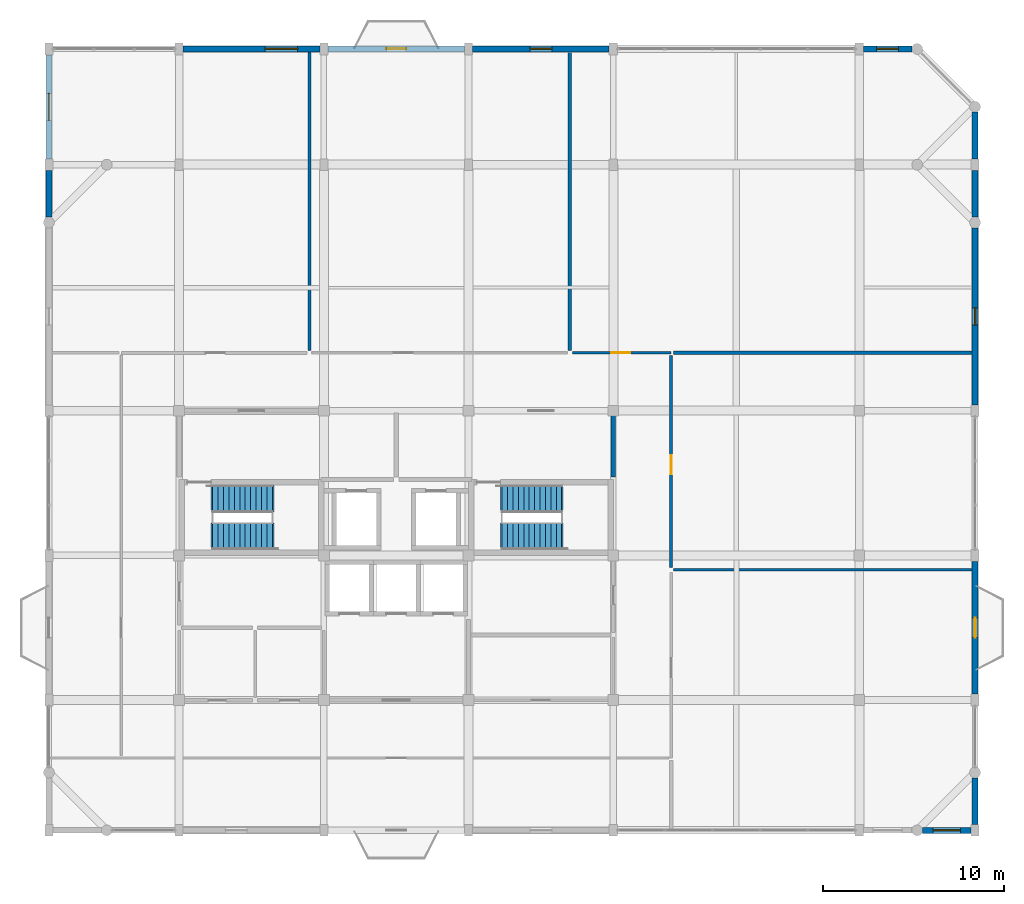
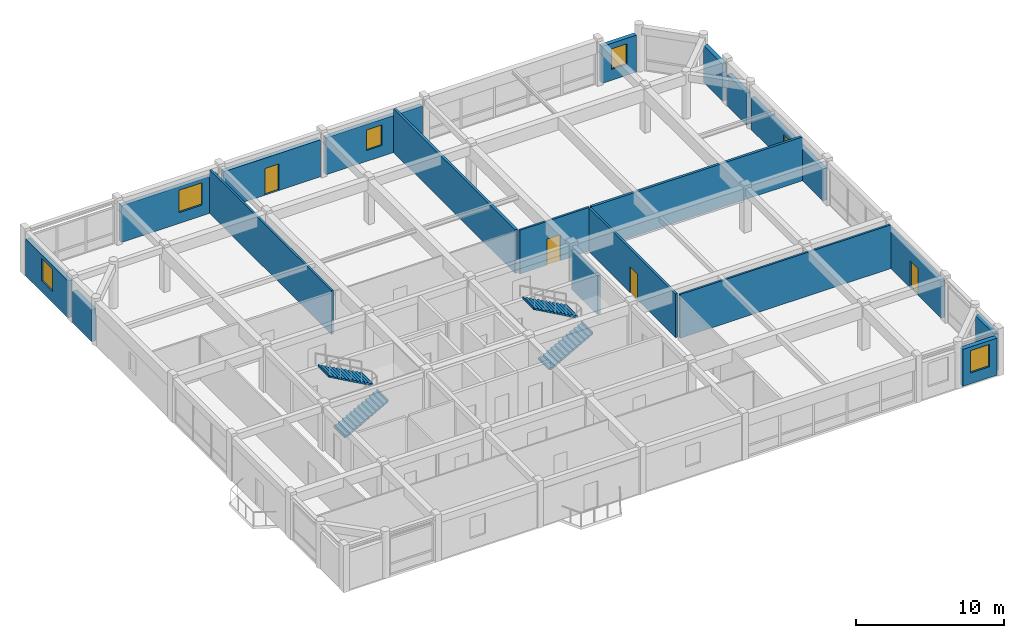
# One storey, part 12 of 13: 19 walls, 6 windows, 4 doors, 4 stair flights, 10 openings, 2 elements without a shape of their own.
"""IFC4 building model written with IfcOpenShell, lengths in metres."""

import ifcopenshell
import ifcopenshell.guid

model = None  # the IFC model being written
_history = None  # IfcOwnerHistory: only IFC2X3 demands one
_inside = {}  # id of a spatial element -> (the spatial element, [elements in it])
_under = {}  # id of a project, library or spatial element -> (it, [spatial elements below it])
_declared = {}  # id of a project -> (the project, [libraries it declares])
_typed = {}  # id of a type object -> (the type object, [elements of that type])
_made_of = {}  # id of a material, layer set ... -> (it, [elements and type objects made of it])


def new_model(schema):
    """Start an empty IFC model of exactly this schema.

    Asked for "IFC4X3", IfcOpenShell would pick the latest addendum, in which some entities
    have other attributes; the version numbers below select the first issue.
    IFC2X3 requires an IfcOwnerHistory on every rooted entity: one is made here for all.
    """
    global model, _history
    if schema == "IFC4X3":
        model = ifcopenshell.file(schema_version=(4, 3, 0, 0))
    else:
        model = ifcopenshell.file(schema=schema)
    _inside.clear()
    _under.clear()
    _declared.clear()
    _typed.clear()
    _made_of.clear()
    _history = None
    if model.schema == "IFC2X3":
        org = make("IfcOrganization", Name="unknown")
        user = make(
            "IfcPersonAndOrganization",
            ThePerson=make("IfcPerson", FamilyName="unknown"),
            TheOrganization=org,
        )
        app = make(
            "IfcApplication",
            ApplicationDeveloper=org,
            Version="unknown",
            ApplicationFullName="unknown",
            ApplicationIdentifier="unknown",
        )
        _history = make(
            "IfcOwnerHistory",
            OwningUser=user,
            OwningApplication=app,
            ChangeAction="ADDED",
            CreationDate=0,
        )
    return model


def make(cls, **values):
    """One entity of the class cls with the attributes given. An attribute that is None is left unset."""
    return model.create_entity(
        cls, **{name: value for name, value in values.items() if value is not None}
    )


def rooted(cls, **values):
    """An entity with a GlobalId (a new one), such as an element, a storey or a relation."""
    return make(cls, GlobalId=ifcopenshell.guid.new(), OwnerHistory=_history, **values)


def si_unit(unit_type, name, prefix=None):
    """IfcSIUnit, for example si_unit("LENGTHUNIT", "METRE", prefix="MILLI")."""
    return make("IfcSIUnit", UnitType=unit_type, Prefix=prefix, Name=name)


def assignment(units):
    """IfcUnitAssignment: the units of a project."""
    return None if units is None else make("IfcUnitAssignment", Units=units)


def point(xyz):
    """IfcCartesianPoint."""
    return None if xyz is None else make("IfcCartesianPoint", Coordinates=xyz)


def direction(xyz):
    """IfcDirection."""
    return None if xyz is None else make("IfcDirection", DirectionRatios=xyz)


def frame(location, z_axis=None, x_axis=None):
    """IfcAxis2Placement3D, a coordinate frame: its origin and axes. An axis left out is left unset."""
    return make(
        "IfcAxis2Placement3D",
        Location=point(location),
        Axis=direction(z_axis),
        RefDirection=direction(x_axis),
    )


def frame_2d(location, x_axis=None):
    """IfcAxis2Placement2D, a coordinate frame in the plane: its origin and x axis."""
    return make(
        "IfcAxis2Placement2D", Location=point(location), RefDirection=direction(x_axis)
    )


def origin():
    """The frame at (0, 0, 0) with its axes left unset."""
    return frame((0.0, 0.0, 0.0))


def place(relative_to, where):
    """IfcLocalPlacement: puts the frame where relative to a parent placement (None: the world)."""
    return make(
        "IfcLocalPlacement", PlacementRelTo=relative_to, RelativePlacement=where
    )


def context(
    kind, dimensions, precision=None, world=None, true_north=None, identifier=None
):
    """IfcGeometricRepresentationContext, for example the 3D "Model" context."""
    return make(
        "IfcGeometricRepresentationContext",
        ContextIdentifier=identifier,
        ContextType=kind,
        CoordinateSpaceDimension=dimensions,
        Precision=precision,
        WorldCoordinateSystem=world,
        TrueNorth=true_north,
    )


def subcontext(parent, identifier, kind, view, scale=None):
    """IfcGeometricRepresentationSubContext, for example "Body" below "Model"."""
    return make(
        "IfcGeometricRepresentationSubContext",
        ContextIdentifier=identifier,
        ContextType=kind,
        ParentContext=parent,
        TargetScale=scale,
        TargetView=view,
    )


def project(units=None, contexts=None):
    """IfcProject with its units and contexts."""
    return rooted(
        "IfcProject",
        Name="project",
        RepresentationContexts=contexts,
        UnitsInContext=assignment(units),
    )


def spatial(cls, under=None, at=None, **own):
    """A site, building, storey or space (cls), placed at a placement, below another one or the project."""
    s = rooted(cls, ObjectPlacement=at, **own)
    if under is not None:
        _under.setdefault(under.id(), (under, []))[1].append(s)
    return s


def polyline(points):
    """IfcPolyline through the points."""
    return make("IfcPolyline", Points=[point(p) for p in points])


def profile(cls, at=None, kind="AREA", **sizes):
    """A parametric profile (cls). Its sizes go by their IFC names, for example OverallWidth=200.0."""
    return make(cls, ProfileType=kind, Position=at, **sizes)


def rectangle(**sizes):
    """IfcRectangleProfileDef."""
    return profile("IfcRectangleProfileDef", **sizes)


def outline(outer, holes=None, kind="AREA"):
    """IfcArbitraryClosedProfileDef: a profile drawn as a closed curve; with holes, ...WithVoids."""
    if holes is None:
        return make("IfcArbitraryClosedProfileDef", ProfileType=kind, OuterCurve=outer)
    return make(
        "IfcArbitraryProfileDefWithVoids",
        ProfileType=kind,
        OuterCurve=outer,
        InnerCurves=holes,
    )


def extrude(swept, where, along, depth):
    """IfcExtrudedAreaSolid: the profile swept, set in the frame where, extruded along a direction by depth."""
    return make(
        "IfcExtrudedAreaSolid",
        SweptArea=swept,
        Position=where,
        ExtrudedDirection=direction(along),
        Depth=depth,
    )


def shape(context_of_items, identifier, shape_type, items):
    """IfcShapeRepresentation: the items that make up one representation, for example the "Body"."""
    return make(
        "IfcShapeRepresentation",
        ContextOfItems=context_of_items,
        RepresentationIdentifier=identifier,
        RepresentationType=shape_type,
        Items=items,
    )


def material(Name=None, Category=None):
    """IfcMaterial."""
    return make("IfcMaterial", Name=Name, Category=Category)


def layer(
    of_material, thickness, ventilated=None, Name=None, Category=None, Priority=None
):
    """IfcMaterialLayer: one layer of a wall or slab, of a material (None: an air gap)."""
    return make(
        "IfcMaterialLayer",
        Material=of_material,
        LayerThickness=thickness,
        IsVentilated=ventilated,
        Name=Name,
        Category=Category,
        Priority=Priority,
    )


def layer_set(layers, Name=None):
    """IfcMaterialLayerSet."""
    return make("IfcMaterialLayerSet", MaterialLayers=layers, LayerSetName=Name)


def made_of(thing, what):
    """Note that an element or type object is made of a material, layer set ...; save() writes the relation."""
    if what is not None:
        _made_of.setdefault(what.id(), (what, []))[1].append(thing)
    return thing


def type_object(cls, material=None, **own):
    """A type object (cls), such as IfcWallType, which elements share."""
    return made_of(rooted(cls, **own), material)


def element(
    cls,
    number,
    at=None,
    inside=None,
    cuts=None,
    type_object=None,
    material=None,
    context=None,
    identifier="Body",
    shape_type=None,
    held_by="IfcProductDefinitionShape",
    body=None,
    shapes=None,
    **own,
):
    """One element of the class cls, such as IfcWall. Its Tag is "e" and its number.

    at: its placement. inside: the storey or other place that contains it. cuts: it is an
    opening in that element (IfcRelVoidsElement). A single representation is given by context,
    identifier, shape_type and body (its items); several are given by shapes. held_by: the class
    of the entity that holds the representations. save() writes the other relations.
    """
    e = rooted(cls, Tag="e%d" % number, ObjectPlacement=at, **own)
    if body is not None:
        shapes = [shape(context, identifier, shape_type, body)]
    if shapes is not None:
        e.Representation = make(held_by, Representations=shapes)
    if inside is not None:
        _inside.setdefault(inside.id(), (inside, []))[1].append(e)
    if cuts is not None:
        rooted(
            "IfcRelVoidsElement", RelatingBuildingElement=cuts, RelatedOpeningElement=e
        )
    if type_object is not None:
        _typed.setdefault(type_object.id(), (type_object, []))[1].append(e)
    return made_of(e, material)


def fill(opening, filler):
    """IfcRelFillsElement: the door or window that sits in an opening."""
    return rooted(
        "IfcRelFillsElement",
        RelatingOpeningElement=opening,
        RelatedBuildingElement=filler,
    )


def aggregate(whole, parts):
    """IfcRelAggregates: a whole, such as a stair, and the parts it consists of."""
    return rooted("IfcRelAggregates", RelatingObject=whole, RelatedObjects=parts)


def save(model, path):
    """Write the relations noted so far, then the file.

    IfcRelAggregates (storeys below a building ...), IfcRelContainedInSpatialStructure (elements
    in a storey), IfcRelDefinesByType, IfcRelAssociatesMaterial and IfcRelDeclares: one each for
    every whole, place, type object, material and project.
    """
    for whole, parts in _under.values():
        aggregate(whole, parts)
    for where, things in _inside.values():
        rooted(
            "IfcRelContainedInSpatialStructure",
            RelatedElements=things,
            RelatingStructure=where,
        )
    for kind, things in _typed.values():
        rooted("IfcRelDefinesByType", RelatedObjects=things, RelatingType=kind)
    for what, things in _made_of.values():
        rooted("IfcRelAssociatesMaterial", RelatedObjects=things, RelatingMaterial=what)
    for by, libraries in _declared.values():
        rooted("IfcRelDeclares", RelatingContext=by, RelatedDefinitions=libraries)
    model.write(path)


model = new_model("IFC4")

# Units and contexts
model_context = context("Model", 3, precision=1e-05, world=origin(), true_north=direction((0.0, 1.0)))
body_context = subcontext(model_context, "Body", "Model", "MODEL_VIEW")
ifc_project = project(units=[si_unit("LENGTHUNIT", "METRE"), si_unit("AREAUNIT", "SQUARE_METRE"), si_unit("VOLUMEUNIT", "CUBIC_METRE"), si_unit("PLANEANGLEUNIT", "RADIAN"), si_unit("MASSUNIT", "GRAM", prefix="KILO")], contexts=[model_context])

# Site, building, storey
site_placement = place(None, origin())
site = spatial("IfcSite", under=ifc_project, at=site_placement, CompositionType="ELEMENT")
building_placement = place(site_placement, origin())
building = spatial("IfcBuilding", under=site, at=building_placement, Name="Vellmiral Cinema and Media Centre", CompositionType="ELEMENT")
storey_placement = place(building_placement, frame((0.0, 0.0, 54.800048828125)))
storey = spatial("IfcBuildingStorey", under=building, at=storey_placement, Name="L13", CompositionType="ELEMENT", Elevation=54.800048828125)

# Wall
ifc_material_1 = material(Name="Polychrome Glazed Ceramic Cladding", Category="masonry")
ifc_layer_1 = layer(ifc_material_1, 0.320068359375, Name="Polychrome Glazed Ceramic Cladding")
ifc_layer_set_1 = layer_set([ifc_layer_1], Name="Polychrome Glazed Ceramic Cladding")
wall_type_1 = type_object("IfcWallType", Name="WL-EXT-BRICK-320", PredefinedType="SOLIDWALL", material=ifc_layer_set_1)
wall_1_placement = place(storey_placement, frame((168.0, 72.324951171875, 0.0), z_axis=(0.0, 0.0, 1.0), x_axis=(0.0, 1.0, 0.0)))
element("IfcWall", 1, at=wall_1_placement, inside=storey, type_object=wall_type_1, Name="Exterior Facade Wall L13-009", PredefinedType="SOLIDWALL", context=body_context, shape_type="SweptSolid", body=[
    extrude(rectangle(XDim=2.574951171875, YDim=0.320068359375, at=frame_2d((1.28759765625, 0.0))), origin(), (0.0, 0.0, 1.0), 3.06005859375),
])

# Wall, opening, door
wall_2_placement = place(storey_placement, frame((168.0, 79.52490234375, 0.0), z_axis=(0.0, 0.0, 1.0), x_axis=(0.0, 1.0, 0.0)))
wall_2 = element("IfcWall", 2, at=wall_2_placement, inside=storey, type_object=wall_type_1, Name="Exterior Facade Wall L13-011", PredefinedType="SOLIDWALL", context=body_context, shape_type="SweptSolid", body=[
    extrude(rectangle(XDim=7.35009765625, YDim=0.320068359375, at=frame_2d((3.675048828125, 0.0))), origin(), (0.0, 0.0, 1.0), 3.044921875),
])
opening_1_placement = place(wall_2_placement, frame((3.125, 0.0, 0.0)))
opening_1 = element("IfcOpeningElement", 3, at=opening_1_placement, cuts=wall_2, Name="Opening DE-06", PredefinedType="OPENING", context=body_context, shape_type="SweptSolid", body=[
    extrude(rectangle(XDim=1.10009765625, YDim=2.199951171875, at=frame_2d((0.550048828125, 1.10009765625))), frame((0.0, 0.171875, 0.0), z_axis=(0.0, -1.0, 0.0), x_axis=(1.0, 0.0, 0.0)), (0.0, 0.0, 1.0), 0.343994140625),
])
ifc_material_2 = material(Name="Thermally Broken Glazed Aluminium and Bronze Door", Category="aluminium")
door_type_1 = type_object("IfcDoorType", Name="DR-MIRA-1100x2200", OperationType="NOTDEFINED", PredefinedType="DOOR", material=ifc_material_2)
door_1_placement = place(opening_1_placement, frame((1.10009765625, 0.0, 0.0), z_axis=(0.0, 0.0, 1.0), x_axis=(-1.0, 0.0, 0.0)))
door_1 = element("IfcDoor", 4, at=door_1_placement, inside=storey, type_object=door_type_1, Name="Mirador Balcony Door L13-E", OperationType="SINGLE_SWING_LEFT", OverallHeight=2.199951171875, OverallWidth=1.10009765625, PredefinedType="DOOR", context=body_context, shape_type="SweptSolid", body=[
    extrude(rectangle(XDim=1.10009765625, YDim=2.199951171875, at=frame_2d((0.550048828125, 1.10009765625))), frame((0.0, 0.02490234375, 0.0), z_axis=(0.0, -1.0, 0.0), x_axis=(1.0, 0.0, 0.0)), (0.0, 0.0, 1.0), 0.050048828125),
])
fill(opening_1, door_1)

# Wall, opening, window
wall_3_placement = place(storey_placement, frame((168.0, 95.52490234375, 0.0), z_axis=(0.0, 0.0, 1.0), x_axis=(0.0, 1.0, 0.0)))
wall_3 = element("IfcWall", 5, at=wall_3_placement, inside=storey, type_object=wall_type_1, Name="Exterior Facade Wall L13-013", PredefinedType="SOLIDWALL", context=body_context, shape_type="SweptSolid", body=[
    extrude(rectangle(XDim=9.775146484375, YDim=0.320068359375, at=frame_2d((4.8876953125, 0.0))), origin(), (0.0, 0.0, 1.0), 2.64501953125),
])
opening_2_placement = place(wall_3_placement, frame((4.41259765625, 0.0, 0.800048828125)))
opening_2 = element("IfcOpeningElement", 6, at=opening_2_placement, cuts=wall_3, Name="Opening WN-12", PredefinedType="OPENING", context=body_context, shape_type="SweptSolid", body=[
    extrude(rectangle(XDim=0.949951171875, YDim=1.449951171875, at=frame_2d((0.47509765625, 0.72509765625))), frame((0.0, 0.171875, 0.0), z_axis=(0.0, -1.0, 0.0), x_axis=(1.0, 0.0, 0.0)), (0.0, 0.0, 1.0), 0.343994140625),
])
ifc_material_3 = material(Name="Thermally Broken Aluminium Triple Glazing", Category="aluminium")
window_type_1 = type_object("IfcWindowType", Name="WN-0950x1450", PartitioningType="SINGLE_PANEL", PredefinedType="WINDOW", material=ifc_material_3)
window_1_placement = place(opening_2_placement, origin())
window_1 = element("IfcWindow", 7, at=window_1_placement, inside=storey, type_object=window_type_1, Name="Window L13-013", OverallHeight=1.449951171875, OverallWidth=0.949951171875, PartitioningType="SINGLE_PANEL", PredefinedType="WINDOW", context=body_context, shape_type="SweptSolid", body=[
    extrude(rectangle(XDim=0.949951171875, YDim=1.449951171875, at=frame_2d((0.47509765625, 0.72509765625))), frame((0.0, 0.030029296875, 0.0), z_axis=(0.0, -1.0, 0.0), x_axis=(1.0, 0.0, 0.0)), (0.0, 0.0, 1.0), 0.06005859375),
])
fill(opening_2, window_1)

# Wall
wall_4_placement = place(storey_placement, frame((168.0, 109.125, 0.0), z_axis=(0.0, 0.0, 1.0), x_axis=(0.0, 1.0, 0.0)))
element("IfcWall", 8, at=wall_4_placement, inside=storey, type_object=wall_type_1, Name="Exterior Facade Wall L13-015", PredefinedType="SOLIDWALL", context=body_context, shape_type="SweptSolid", body=[
    extrude(rectangle(XDim=2.574951171875, YDim=0.320068359375, at=frame_2d((1.28759765625, 0.0))), origin(), (0.0, 0.0, 1.0), 3.06005859375),
])

# Wall, opening, window
wall_5_placement = place(storey_placement, frame((164.5, 115.199951171875, 0.0), z_axis=(0.0, 0.0, 1.0), x_axis=(-1.0, 0.0, 0.0)))
wall_5 = element("IfcWall", 9, at=wall_5_placement, inside=storey, type_object=wall_type_1, Name="Exterior Facade Wall L13-017", PredefinedType="SOLIDWALL", context=body_context, shape_type="SweptSolid", body=[
    extrude(rectangle(XDim=2.675048828125, YDim=0.320068359375, at=frame_2d((1.33740234375, 0.0))), origin(), (0.0, 0.0, 1.0), 3.06005859375),
])
opening_3_placement = place(wall_5_placement, frame((0.737548828125, 0.0, 0.89990234375)))
opening_3 = element("IfcOpeningElement", 10, at=opening_3_placement, cuts=wall_5, Name="Opening WN-10", PredefinedType="OPENING", context=body_context, shape_type="SweptSolid", body=[
    extrude(rectangle(XDim=1.199951171875, YDim=1.699951171875, at=frame_2d((0.60009765625, 0.85009765625))), frame((0.0, 0.171875, 0.0), z_axis=(0.0, -1.0, 0.0), x_axis=(1.0, 0.0, 0.0)), (0.0, 0.0, 1.0), 0.343994140625),
])
ifc_material_4 = material(Name="Thermally Broken Aluminium Triple Glazing", Category="aluminium")
window_type_2 = type_object("IfcWindowType", Name="WN-1200x1700", PartitioningType="SINGLE_PANEL", PredefinedType="WINDOW", material=ifc_material_4)
window_2_placement = place(opening_3_placement, origin())
window_2 = element("IfcWindow", 11, at=window_2_placement, inside=storey, type_object=window_type_2, Name="Window L13-017", OverallHeight=1.699951171875, OverallWidth=1.199951171875, PartitioningType="SINGLE_PANEL", PredefinedType="WINDOW", context=body_context, shape_type="SweptSolid", body=[
    extrude(rectangle(XDim=1.199951171875, YDim=1.699951171875, at=frame_2d((0.60009765625, 0.85009765625))), frame((0.0, 0.030029296875, 0.0), z_axis=(0.0, -1.0, 0.0), x_axis=(1.0, 0.0, 0.0)), (0.0, 0.0, 1.0), 0.06005859375),
])
fill(opening_3, window_2)

wall_6_placement = place(storey_placement, frame((147.77490234375, 115.199951171875, 0.0), z_axis=(0.0, 0.0, 1.0), x_axis=(-1.0, 0.0, 0.0)))
wall_6 = element("IfcWall", 12, at=wall_6_placement, inside=storey, type_object=wall_type_1, Name="Exterior Facade Wall L13-019", PredefinedType="SOLIDWALL", context=body_context, shape_type="SweptSolid", body=[
    extrude(rectangle(XDim=7.5498046875, YDim=0.320068359375, at=frame_2d((3.77490234375, 0.0))), origin(), (0.0, 0.0, 1.0), 3.06005859375),
])
opening_4_placement = place(wall_6_placement, frame((3.175048828125, 0.0, 0.89990234375)))
opening_4 = element("IfcOpeningElement", 13, at=opening_4_placement, cuts=wall_6, Name="Opening WN-10", PredefinedType="OPENING", context=body_context, shape_type="SweptSolid", body=[
    extrude(rectangle(XDim=1.199951171875, YDim=1.699951171875, at=frame_2d((0.60009765625, 0.85009765625))), frame((0.0, 0.171875, 0.0), z_axis=(0.0, -1.0, 0.0), x_axis=(1.0, 0.0, 0.0)), (0.0, 0.0, 1.0), 0.343994140625),
])
window_3_placement = place(opening_4_placement, origin())
window_3 = element("IfcWindow", 14, at=window_3_placement, inside=storey, type_object=window_type_2, Name="Window L13-019", OverallHeight=1.699951171875, OverallWidth=1.199951171875, PartitioningType="SINGLE_PANEL", PredefinedType="WINDOW", context=body_context, shape_type="SweptSolid", body=[
    extrude(rectangle(XDim=1.199951171875, YDim=1.699951171875, at=frame_2d((0.60009765625, 0.85009765625))), frame((0.0, 0.030029296875, 0.0), z_axis=(0.0, -1.0, 0.0), x_axis=(1.0, 0.0, 0.0)), (0.0, 0.0, 1.0), 0.06005859375),
])
fill(opening_4, window_3)

wall_7_placement = place(storey_placement, frame((131.77490234375, 115.199951171875, 0.0), z_axis=(0.0, 0.0, 1.0), x_axis=(-1.0, 0.0, 0.0)))
wall_7 = element("IfcWall", 15, at=wall_7_placement, inside=storey, type_object=wall_type_1, Name="Exterior Facade Wall L13-021", PredefinedType="SOLIDWALL", context=body_context, shape_type="SweptSolid", body=[
    extrude(rectangle(XDim=7.5498046875, YDim=0.320068359375, at=frame_2d((3.77490234375, 0.0))), origin(), (0.0, 0.0, 1.0), 3.044921875),
])
opening_5_placement = place(wall_7_placement, frame((1.22509765625, 0.0, 0.89990234375)))
opening_5 = element("IfcOpeningElement", 16, at=opening_5_placement, cuts=wall_7, Name="Opening WN-04", PredefinedType="OPENING", context=body_context, shape_type="SweptSolid", body=[
    extrude(rectangle(XDim=1.800048828125, YDim=1.85009765625, at=frame_2d((0.89990234375, 0.925048828125))), frame((0.0, 0.171875, 0.0), z_axis=(0.0, -1.0, 0.0), x_axis=(1.0, 0.0, 0.0)), (0.0, 0.0, 1.0), 0.343994140625),
])
ifc_material_5 = material(Name="Thermally Broken Aluminium Triple Glazing", Category="aluminium")
window_type_3 = type_object("IfcWindowType", Name="WN-1800x1850", PartitioningType="DOUBLE_PANEL_VERTICAL", PredefinedType="WINDOW", material=ifc_material_5)
window_4_placement = place(opening_5_placement, origin())
window_4 = element("IfcWindow", 17, at=window_4_placement, inside=storey, type_object=window_type_3, Name="Window L13-021", OverallHeight=1.85009765625, OverallWidth=1.800048828125, PartitioningType="DOUBLE_PANEL_VERTICAL", PredefinedType="WINDOW", context=body_context, shape_type="SweptSolid", body=[
    extrude(rectangle(XDim=1.800048828125, YDim=1.85009765625, at=frame_2d((0.89990234375, 0.925048828125))), frame((0.0, 0.030029296875, 0.0), z_axis=(0.0, -1.0, 0.0), x_axis=(1.0, 0.0, 0.0)), (0.0, 0.0, 1.0), 0.06005859375),
])
fill(opening_5, window_4)

wall_8_placement = place(storey_placement, frame((116.800048828125, 114.875, 0.0), z_axis=(0.0, 0.0, 1.0), x_axis=(0.0, -1.0, 0.0)))
wall_8 = element("IfcWall", 18, at=wall_8_placement, inside=storey, type_object=wall_type_1, Name="Exterior Facade Wall L13-023", PredefinedType="SOLIDWALL", context=body_context, shape_type="SweptSolid", body=[
    extrude(rectangle(XDim=5.75, YDim=0.320068359375, at=frame_2d((2.875, 0.0))), origin(), (0.0, 0.0, 1.0), 3.06005859375),
])
opening_6_placement = place(wall_8_placement, frame((2.125, 0.0, 0.89990234375)))
opening_6 = element("IfcOpeningElement", 19, at=opening_6_placement, cuts=wall_8, Name="Opening WN-06", PredefinedType="OPENING", context=body_context, shape_type="SweptSolid", body=[
    extrude(rectangle(XDim=1.5, YDim=1.85009765625, at=frame_2d((0.75, 0.925048828125))), frame((0.0, 0.171875, 0.0), z_axis=(0.0, -1.0, 0.0), x_axis=(1.0, 0.0, 0.0)), (0.0, 0.0, 1.0), 0.343994140625),
])
ifc_material_6 = material(Name="Thermally Broken Aluminium Triple Glazing", Category="aluminium")
window_type_4 = type_object("IfcWindowType", Name="WN-1500x1850", PartitioningType="SINGLE_PANEL", PredefinedType="WINDOW", material=ifc_material_6)
window_5_placement = place(opening_6_placement, origin())
window_5 = element("IfcWindow", 20, at=window_5_placement, inside=storey, type_object=window_type_4, Name="Window L13-023", OverallHeight=1.85009765625, OverallWidth=1.5, PartitioningType="SINGLE_PANEL", PredefinedType="WINDOW", context=body_context, shape_type="SweptSolid", body=[
    extrude(rectangle(XDim=1.5, YDim=1.85009765625, at=frame_2d((0.75, 0.925048828125))), frame((0.0, 0.030029296875, 0.0), z_axis=(0.0, -1.0, 0.0), x_axis=(1.0, 0.0, 0.0)), (0.0, 0.0, 1.0), 0.06005859375),
])
fill(opening_6, window_5)

ifc_material_7 = material(Name="Vosges Red Sandstone Masonry", Category="masonry")
ifc_layer_2 = layer(ifc_material_7, 0.340087890625, Name="Vosges Red Sandstone Masonry")
ifc_layer_set_2 = layer_set([ifc_layer_2], Name="Vosges Red Sandstone Masonry")
wall_type_2 = type_object("IfcWallType", Name="WL-EXT-SAND-340", PredefinedType="SOLIDWALL", material=ifc_layer_set_2)
wall_9_placement = place(storey_placement, frame((165.10009765625, 72.0, 0.0), z_axis=(0.0, 0.0, 1.0), x_axis=(1.0, 0.0, 0.0)))
wall_9 = element("IfcWall", 21, at=wall_9_placement, inside=storey, type_object=wall_type_2, Name="Exterior Facade Wall L13-008", PredefinedType="SOLIDWALL", context=body_context, shape_type="SweptSolid", body=[
    extrude(rectangle(XDim=2.6748046875, YDim=0.340087890625, at=frame_2d((1.33740234375, 0.0))), origin(), (0.0, 0.0, 1.0), 3.06005859375),
])
opening_7_placement = place(wall_9_placement, frame((0.58740234375, 0.0, 0.89990234375)))
opening_7 = element("IfcOpeningElement", 22, at=opening_7_placement, cuts=wall_9, Name="Opening WN-06", PredefinedType="OPENING", context=body_context, shape_type="SweptSolid", body=[
    extrude(rectangle(XDim=1.5, YDim=1.85009765625, at=frame_2d((0.75, 0.925048828125))), frame((0.0, 0.18212890625, 0.0), z_axis=(0.0, -1.0, 0.0), x_axis=(1.0, 0.0, 0.0)), (0.0, 0.0, 1.0), 0.364013671875),
])
window_6_placement = place(opening_7_placement, origin())
window_6 = element("IfcWindow", 23, at=window_6_placement, inside=storey, type_object=window_type_4, Name="Window L13-008", OverallHeight=1.85009765625, OverallWidth=1.5, PartitioningType="SINGLE_PANEL", PredefinedType="WINDOW", context=body_context, shape_type="SweptSolid", body=[
    extrude(rectangle(XDim=1.5, YDim=1.85009765625, at=frame_2d((0.75, 0.925048828125))), frame((0.0, 0.030029296875, 0.0), z_axis=(0.0, -1.0, 0.0), x_axis=(1.0, 0.0, 0.0)), (0.0, 0.0, 1.0), 0.06005859375),
])
fill(opening_7, window_6)

# Wall
wall_10_placement = place(storey_placement, frame((168.0, 105.89990234375, 0.0), z_axis=(0.0, 0.0, 1.0), x_axis=(0.0, 1.0, 0.0)))
element("IfcWall", 24, at=wall_10_placement, inside=storey, type_object=wall_type_2, Name="Exterior Facade Wall L13-014", PredefinedType="SOLIDWALL", context=body_context, shape_type="SweptSolid", body=[
    extrude(rectangle(XDim=2.5751953125, YDim=0.340087890625, at=frame_2d((1.28759765625, 0.0))), origin(), (0.0, 0.0, 1.0), 2.64501953125),
])

# Wall, opening, door
wall_11_placement = place(storey_placement, frame((139.77490234375, 115.199951171875, 0.0), z_axis=(0.0, 0.0, 1.0), x_axis=(-1.0, 0.0, 0.0)))
wall_11 = element("IfcWall", 25, at=wall_11_placement, inside=storey, type_object=wall_type_2, Name="Exterior Facade Wall L13-020", PredefinedType="SOLIDWALL", context=body_context, shape_type="SweptSolid", body=[
    extrude(rectangle(XDim=7.5498046875, YDim=0.340087890625, at=frame_2d((3.77490234375, 0.0))), origin(), (0.0, 0.0, 1.0), 3.06005859375),
])
opening_8_placement = place(wall_11_placement, frame((3.22509765625, 0.0, 0.0)))
opening_8 = element("IfcOpeningElement", 26, at=opening_8_placement, cuts=wall_11, Name="Opening DE-06", PredefinedType="OPENING", context=body_context, shape_type="SweptSolid", body=[
    extrude(rectangle(XDim=1.10009765625, YDim=2.199951171875, at=frame_2d((0.550048828125, 1.10009765625))), frame((0.0, 0.18212890625, 0.0), z_axis=(0.0, -1.0, 0.0), x_axis=(1.0, 0.0, 0.0)), (0.0, 0.0, 1.0), 0.364013671875),
])
door_2_placement = place(opening_8_placement, frame((1.10009765625, 0.0, 0.0), z_axis=(0.0, 0.0, 1.0), x_axis=(-1.0, 0.0, 0.0)))
door_2 = element("IfcDoor", 27, at=door_2_placement, inside=storey, type_object=door_type_1, Name="Mirador Balcony Door L13-N", OperationType="SINGLE_SWING_RIGHT", OverallHeight=2.199951171875, OverallWidth=1.10009765625, PredefinedType="DOOR", context=body_context, shape_type="SweptSolid", body=[
    extrude(rectangle(XDim=1.10009765625, YDim=2.199951171875, at=frame_2d((0.550048828125, 1.10009765625))), frame((0.0, 0.02490234375, 0.0), z_axis=(0.0, -1.0, 0.0), x_axis=(1.0, 0.0, 0.0)), (0.0, 0.0, 1.0), 0.050048828125),
])
fill(opening_8, door_2)

# Walls
wall_12_placement = place(storey_placement, frame((116.800048828125, 108.47509765625, 0.0), z_axis=(0.0, 0.0, 1.0), x_axis=(0.0, -1.0, 0.0)))
element("IfcWall", 28, at=wall_12_placement, inside=storey, type_object=wall_type_2, Name="Exterior Facade Wall L13-024", PredefinedType="SOLIDWALL", context=body_context, shape_type="SweptSolid", body=[
    extrude(rectangle(XDim=2.5751953125, YDim=0.340087890625, at=frame_2d((1.28759765625, 0.0))), origin(), (0.0, 0.0, 1.0), 2.64501953125),
])
ifc_material_8 = material(Name="Concrete C40/50", Category="concrete")
ifc_layer_3 = layer(ifc_material_8, 0.22998046875, Name="Concrete C40/50")
ifc_layer_set_3 = layer_set([ifc_layer_3], Name="Concrete C40/50")
wall_type_3 = type_object("IfcWallType", Name="WL-FFL-230", PredefinedType="SOLIDWALL", material=ifc_layer_set_3)
wall_13_placement = place(storey_placement, frame((148.0, 91.5400390625, 0.0), z_axis=(0.0, 0.0, 1.0), x_axis=(0.0, 1.0, 0.0)))
element("IfcWall", 29, at=wall_13_placement, inside=storey, type_object=wall_type_3, Name="Firefighting Lobby East Wall E", PredefinedType="SOLIDWALL", context=body_context, shape_type="SweptSolid", body=[
    extrude(rectangle(XDim=3.52001953125, YDim=0.22998046875, at=frame_2d((1.760009765625, 0.0))), origin(), (0.0, 0.0, 1.0), 3.204833984375),
])
ifc_material_9 = material(Name="Gypsum Plasterboard")
ifc_layer_4 = layer(ifc_material_9, 0.02490234375, Name="Gypsum Plasterboard", Category="gypsum")
ifc_material_10 = material(Name="Mineral Wool Acoustic Insulation", Category="insulation")
ifc_layer_5 = layer(ifc_material_10, 0.10009765625, Name="Mineral Wool Acoustic Insulation", Category="insulation")
ifc_layer_6 = layer(ifc_material_9, 0.02490234375, Name="Gypsum Plasterboard", Category="gypsum")
ifc_layer_set_4 = layer_set([ifc_layer_4, ifc_layer_5, ifc_layer_6], Name="Gypsum Plasterboard")
wall_type_4 = type_object("IfcWallType", Name="WL-PART-150", PredefinedType="PARTITIONING", material=ifc_layer_set_4)
for number, where, z_axis, x_axis, name in (
    (30, (151.340087890625, 86.39990234375, 0.0), (0.0, 0.0, 1.0), (1.0, 0.0, 0.0), "East Film Commission Office 1 Wall N"),
    (31, (131.199951171875, 98.5400390625, 0.0), (0.0, 0.0, 1.0), (0.0, 1.0, 0.0), "North Film Commission Suite West Wall E"),
):
    element("IfcWall", number, at=place(storey_placement, frame(where, z_axis=z_axis, x_axis=x_axis)), inside=storey, type_object=wall_type_4, Name=name, PredefinedType="PARTITIONING", context=body_context, shape_type="SweptSolid", body=[
        extrude(rectangle(XDim=16.48486328125, YDim=0.14990234375, at=frame_2d((8.242431640625, 0.0))), origin(), (0.0, 0.0, 1.0), 3.619873046875),
    ])

# Wall, opening, door
wall_14_placement = place(storey_placement, frame((145.739990234375, 98.39990234375, 0.0), z_axis=(0.0, 0.0, 1.0), x_axis=(1.0, 0.0, 0.0)))
wall_14 = element("IfcWall", 32, at=wall_14_placement, inside=storey, type_object=wall_type_4, Name="North International Licensing Studio Wall S", PredefinedType="PARTITIONING", context=body_context, shape_type="SweptSolid", body=[
    extrude(rectangle(XDim=5.4599609375, YDim=0.14990234375, at=frame_2d((2.72998046875, 0.0))), origin(), (0.0, 0.0, 1.0), 3.619873046875),
])
opening_9_placement = place(wall_14_placement, frame((2.135009765625, 0.0, 0.0)))
opening_9 = element("IfcOpeningElement", 33, at=opening_9_placement, cuts=wall_14, Name="Opening D-I07", PredefinedType="OPENING", context=body_context, shape_type="SweptSolid", body=[
    extrude(rectangle(XDim=1.050048828125, YDim=2.14990234375, at=frame_2d((0.52490234375, 1.074951171875))), frame((0.0, 0.0869140625, 0.0), z_axis=(0.0, -1.0, 0.0), x_axis=(1.0, 0.0, 0.0)), (0.0, 0.0, 1.0), 0.173828125),
])
ifc_material_11 = material(Name="Laminated Timber Door", Category="wood")
door_type_2 = type_object("IfcDoorType", Name="DR-INT-1050x2150", OperationType="NOTDEFINED", PredefinedType="DOOR", material=ifc_material_11)
door_3_placement = place(opening_9_placement, frame((1.050048828125, 0.0, 0.0), z_axis=(0.0, 0.0, 1.0), x_axis=(-1.0, 0.0, 0.0)))
door_3 = element("IfcDoor", 34, at=door_3_placement, inside=storey, type_object=door_type_2, Name="North International Licensing Studio Door", OperationType="SINGLE_SWING_LEFT", OverallHeight=2.14990234375, OverallWidth=1.050048828125, PredefinedType="DOOR", context=body_context, shape_type="SweptSolid", body=[
    extrude(rectangle(XDim=1.050048828125, YDim=2.14990234375, at=frame_2d((0.52490234375, 1.074951171875))), frame((0.0, 0.02490234375, 0.0), z_axis=(0.0, -1.0, 0.0), x_axis=(1.0, 0.0, 0.0)), (0.0, 0.0, 1.0), 0.050048828125),
])
fill(opening_9, door_3)

ifc_material_12 = material(Name="Gypsum Plasterboard")
ifc_layer_7 = layer(ifc_material_12, 0.02490234375, Name="Gypsum Plasterboard", Category="gypsum")
ifc_material_13 = material(Name="Mineral Wool Acoustic Insulation", Category="insulation")
ifc_layer_8 = layer(ifc_material_13, 0.1201171875, Name="Mineral Wool Acoustic Insulation", Category="insulation")
ifc_layer_9 = layer(ifc_material_12, 0.02490234375, Name="Gypsum Plasterboard", Category="gypsum")
ifc_layer_set_5 = layer_set([ifc_layer_7, ifc_layer_8, ifc_layer_9], Name="Gypsum Plasterboard")
wall_type_5 = type_object("IfcWallType", Name="WL-PART-170", PredefinedType="PARTITIONING", material=ifc_layer_set_5)
wall_15_placement = place(storey_placement, frame((151.199951171875, 86.5400390625, 0.0), z_axis=(0.0, 0.0, 1.0), x_axis=(0.0, 1.0, 0.0)))
wall_15 = element("IfcWall", 35, at=wall_15_placement, inside=storey, type_object=wall_type_5, Name="East Media Rights Office 2 Wall W", PredefinedType="PARTITIONING", context=body_context, shape_type="SweptSolid", body=[
    extrude(rectangle(XDim=11.719970703125, YDim=0.169921875, at=frame_2d((5.85986328125, 0.0))), origin(), (0.0, 0.0, 1.0), 3.619873046875),
])
opening_10_placement = place(wall_15_placement, frame((5.135009765625, 0.0, 0.0)))
opening_10 = element("IfcOpeningElement", 36, at=opening_10_placement, cuts=wall_15, Name="Opening D-I07", PredefinedType="OPENING", context=body_context, shape_type="SweptSolid", body=[
    extrude(rectangle(XDim=1.050048828125, YDim=2.14990234375, at=frame_2d((0.52490234375, 1.074951171875))), frame((0.0, 0.096923828125, 0.0), z_axis=(0.0, -1.0, 0.0), x_axis=(1.0, 0.0, 0.0)), (0.0, 0.0, 1.0), 0.19384765625),
])
door_4_placement = place(opening_10_placement, frame((1.050048828125, 0.0, 0.0), z_axis=(0.0, 0.0, 1.0), x_axis=(-1.0, 0.0, 0.0)))
door_4 = element("IfcDoor", 37, at=door_4_placement, inside=storey, type_object=door_type_2, Name="East Media Rights Office 2 Door", OperationType="SINGLE_SWING_RIGHT", OverallHeight=2.14990234375, OverallWidth=1.050048828125, PredefinedType="DOOR", context=body_context, shape_type="SweptSolid", body=[
    extrude(rectangle(XDim=1.050048828125, YDim=2.14990234375, at=frame_2d((0.52490234375, 1.074951171875))), frame((0.0, 0.02490234375, 0.0), z_axis=(0.0, -1.0, 0.0), x_axis=(1.0, 0.0, 0.0)), (0.0, 0.0, 1.0), 0.050048828125),
])
fill(opening_10, door_4)

# Walls
ifc_material_14 = material(Name="Gypsum Plasterboard")
ifc_layer_10 = layer(ifc_material_14, 0.02490234375, Name="Gypsum Plasterboard", Category="gypsum")
ifc_material_15 = material(Name="Mineral Wool Acoustic Insulation", Category="insulation")
ifc_layer_11 = layer(ifc_material_15, 0.139892578125, Name="Mineral Wool Acoustic Insulation", Category="insulation")
ifc_layer_12 = layer(ifc_material_14, 0.02490234375, Name="Gypsum Plasterboard", Category="gypsum")
ifc_layer_set_6 = layer_set([ifc_layer_10, ifc_layer_11, ifc_layer_12], Name="Gypsum Plasterboard")
wall_type_6 = type_object("IfcWallType", Name="WL-PART-190", PredefinedType="PARTITIONING", material=ifc_layer_set_6)
for number, where, z_axis, x_axis, name in (
    (38, (151.340087890625, 98.39990234375, 0.0), (0.0, 0.0, 1.0), (1.0, 0.0, 0.0), "East Media Rights Office 2 Wall N"),
    (39, (145.60009765625, 98.5400390625, 0.0), (0.0, 0.0, 1.0), (0.0, 1.0, 0.0), "North Film Commission Boardroom Wall E"),
):
    element("IfcWall", number, at=place(storey_placement, frame(where, z_axis=z_axis, x_axis=x_axis)), inside=storey, type_object=wall_type_6, Name=name, PredefinedType="PARTITIONING", context=body_context, shape_type="SweptSolid", body=[
        extrude(rectangle(XDim=16.48486328125, YDim=0.18994140625, at=frame_2d((8.242431640625, 0.0))), origin(), (0.0, 0.0, 1.0), 3.619873046875),
    ])

# Stair, stair flights
ifc_material_16 = material(Name="Concrete C40/50", Category="concrete")
stair_type = type_object("IfcStairType", Name="ST-2RET-390", PredefinedType="HALF_TURN_STAIR", material=ifc_material_16)
stair_1_placement = place(storey_placement, origin())
stair_1 = element("IfcStair", 40, at=stair_1_placement, inside=storey, type_object=stair_type, Name="Protected Escape Stair ST-T1 (L13)", PredefinedType="HALF_TURN_STAIR")
ifc_material_17 = material(Name="Concrete C40/50", Category="concrete")
stair_flight_type = type_object("IfcStairFlightType", Name="STF-STR-390", PredefinedType="STRAIGHT", material=ifc_material_17)
stair_flight_1_placement = place(storey_placement, frame((125.85009765625, 88.25, 0.0), z_axis=(0.0, 0.0, 1.0), x_axis=(1.0, 0.0, 0.0)))
stair_flight_1 = element("IfcStairFlight", 41, at=stair_flight_1_placement, type_object=stair_flight_type, Name="ST-T1 flight 1", NumberOfRisers=12, NumberOfTreads=11, PredefinedType="STRAIGHT", RiserHeight=0.1625, TreadLength=0.3, context=body_context, shape_type="SweptSolid", body=[
    extrude(outline(polyline([(-0.080078125, 0.0), (-0.080078125, 0.097412109375), (0.0, 0.16259765625), (0.300048828125, 0.16259765625), (0.300048828125, 0.324951171875), (0.60009765625, 0.324951171875), (0.60009765625, 0.487548828125), (0.89990234375, 0.487548828125), (0.89990234375, 0.64990234375), (1.199951171875, 0.64990234375), (1.199951171875, 0.8125), (1.5, 0.8125), (1.5, 0.97509765625), (1.800048828125, 0.97509765625), (1.800048828125, 1.137451171875), (2.10009765625, 1.137451171875), (2.10009765625, 1.300048828125), (2.39990234375, 1.300048828125), (2.39990234375, 1.46240234375), (2.699951171875, 1.46240234375), (2.699951171875, 1.625), (3.0, 1.625), (3.0, 1.78759765625), (3.300048828125, 1.78759765625), (3.300048828125, 1.949951171875), (3.380126953125, 1.949951171875), (3.380126953125, 1.7900390625), (0.179931640625, 0.0), (-0.080078125, 0.0)])), frame((0.0, 0.75, 0.0), z_axis=(0.0, -1.0, 0.0), x_axis=(1.0, 0.0, 0.0)), (0.0, 0.0, 1.0), 1.5),
])
stair_flight_2_placement = place(storey_placement, frame((129.14990234375, 90.35009765625, 1.949951171875), z_axis=(0.0, 0.0, 1.0), x_axis=(-1.0, 0.0, 0.0)))
stair_flight_2 = element("IfcStairFlight", 42, at=stair_flight_2_placement, type_object=stair_flight_type, Name="ST-T1 flight 2", NumberOfRisers=12, NumberOfTreads=11, PredefinedType="STRAIGHT", RiserHeight=0.1625, TreadLength=0.3, context=body_context, shape_type="SweptSolid", body=[
    extrude(outline(polyline([(-0.080078125, 0.0), (-0.080078125, 0.097412109375), (0.0, 0.16259765625), (0.300048828125, 0.16259765625), (0.300048828125, 0.324951171875), (0.60009765625, 0.324951171875), (0.60009765625, 0.487548828125), (0.89990234375, 0.487548828125), (0.89990234375, 0.64990234375), (1.199951171875, 0.64990234375), (1.199951171875, 0.8125), (1.5, 0.8125), (1.5, 0.97509765625), (1.800048828125, 0.97509765625), (1.800048828125, 1.137451171875), (2.10009765625, 1.137451171875), (2.10009765625, 1.300048828125), (2.39990234375, 1.300048828125), (2.39990234375, 1.46240234375), (2.699951171875, 1.46240234375), (2.699951171875, 1.625), (3.0, 1.625), (3.0, 1.78759765625), (3.300048828125, 1.78759765625), (3.300048828125, 1.949951171875), (3.380126953125, 1.949951171875), (3.380126953125, 1.7900390625), (0.179931640625, 0.0), (-0.080078125, 0.0)])), frame((0.0, 0.75, 0.0), z_axis=(0.0, -1.0, 0.0), x_axis=(1.0, 0.0, 0.0)), (0.0, 0.0, 1.0), 1.5),
])
aggregate(stair_1, [stair_flight_1, stair_flight_2])

stair_2_placement = place(storey_placement, origin())
stair_2 = element("IfcStair", 43, at=stair_2_placement, inside=storey, type_object=stair_type, Name="Protected Escape Stair ST-T2 (L13)", PredefinedType="HALF_TURN_STAIR")
stair_flight_3_placement = place(storey_placement, frame((141.85009765625, 88.25, 0.0), z_axis=(0.0, 0.0, 1.0), x_axis=(1.0, 0.0, 0.0)))
stair_flight_3 = element("IfcStairFlight", 44, at=stair_flight_3_placement, type_object=stair_flight_type, Name="ST-T2 flight 1", NumberOfRisers=12, NumberOfTreads=11, PredefinedType="STRAIGHT", RiserHeight=0.1625, TreadLength=0.3, context=body_context, shape_type="SweptSolid", body=[
    extrude(outline(polyline([(-0.080078125, 0.0), (-0.080078125, 0.097412109375), (0.0, 0.16259765625), (0.300048828125, 0.16259765625), (0.300048828125, 0.324951171875), (0.60009765625, 0.324951171875), (0.60009765625, 0.487548828125), (0.89990234375, 0.487548828125), (0.89990234375, 0.64990234375), (1.199951171875, 0.64990234375), (1.199951171875, 0.8125), (1.5, 0.8125), (1.5, 0.97509765625), (1.800048828125, 0.97509765625), (1.800048828125, 1.137451171875), (2.10009765625, 1.137451171875), (2.10009765625, 1.300048828125), (2.39990234375, 1.300048828125), (2.39990234375, 1.46240234375), (2.699951171875, 1.46240234375), (2.699951171875, 1.625), (3.0, 1.625), (3.0, 1.78759765625), (3.300048828125, 1.78759765625), (3.300048828125, 1.949951171875), (3.380126953125, 1.949951171875), (3.380126953125, 1.7900390625), (0.179931640625, 0.0), (-0.080078125, 0.0)])), frame((0.0, 0.75, 0.0), z_axis=(0.0, -1.0, 0.0), x_axis=(1.0, 0.0, 0.0)), (0.0, 0.0, 1.0), 1.5),
])
stair_flight_4_placement = place(storey_placement, frame((145.14990234375, 90.35009765625, 1.949951171875), z_axis=(0.0, 0.0, 1.0), x_axis=(-1.0, 0.0, 0.0)))
stair_flight_4 = element("IfcStairFlight", 45, at=stair_flight_4_placement, type_object=stair_flight_type, Name="ST-T2 flight 2", NumberOfRisers=12, NumberOfTreads=11, PredefinedType="STRAIGHT", RiserHeight=0.1625, TreadLength=0.3, context=body_context, shape_type="SweptSolid", body=[
    extrude(outline(polyline([(-0.080078125, 0.0), (-0.080078125, 0.097412109375), (0.0, 0.16259765625), (0.300048828125, 0.16259765625), (0.300048828125, 0.324951171875), (0.60009765625, 0.324951171875), (0.60009765625, 0.487548828125), (0.89990234375, 0.487548828125), (0.89990234375, 0.64990234375), (1.199951171875, 0.64990234375), (1.199951171875, 0.8125), (1.5, 0.8125), (1.5, 0.97509765625), (1.800048828125, 0.97509765625), (1.800048828125, 1.137451171875), (2.10009765625, 1.137451171875), (2.10009765625, 1.300048828125), (2.39990234375, 1.300048828125), (2.39990234375, 1.46240234375), (2.699951171875, 1.46240234375), (2.699951171875, 1.625), (3.0, 1.625), (3.0, 1.78759765625), (3.300048828125, 1.78759765625), (3.300048828125, 1.949951171875), (3.380126953125, 1.949951171875), (3.380126953125, 1.7900390625), (0.179931640625, 0.0), (-0.080078125, 0.0)])), frame((0.0, 0.75, 0.0), z_axis=(0.0, -1.0, 0.0), x_axis=(1.0, 0.0, 0.0)), (0.0, 0.0, 1.0), 1.5),
])
aggregate(stair_2, [stair_flight_3, stair_flight_4])

save(model, "model.ifc")
